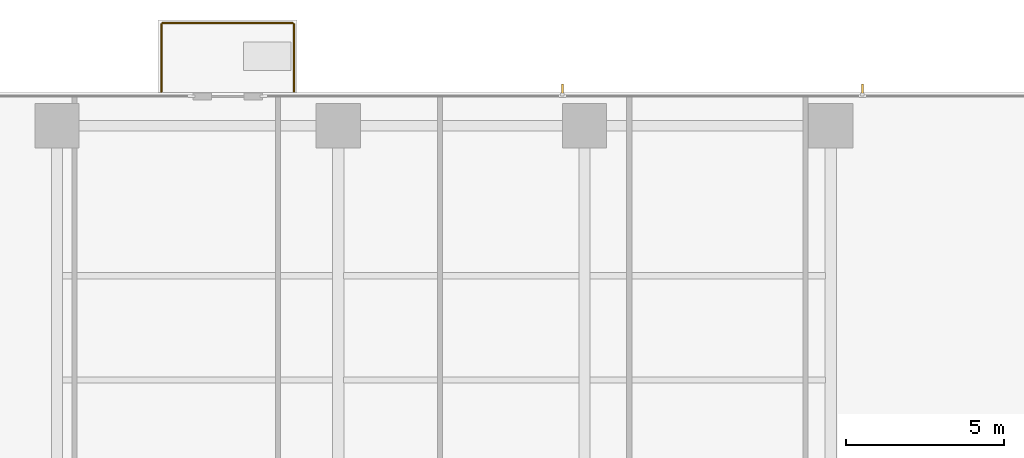
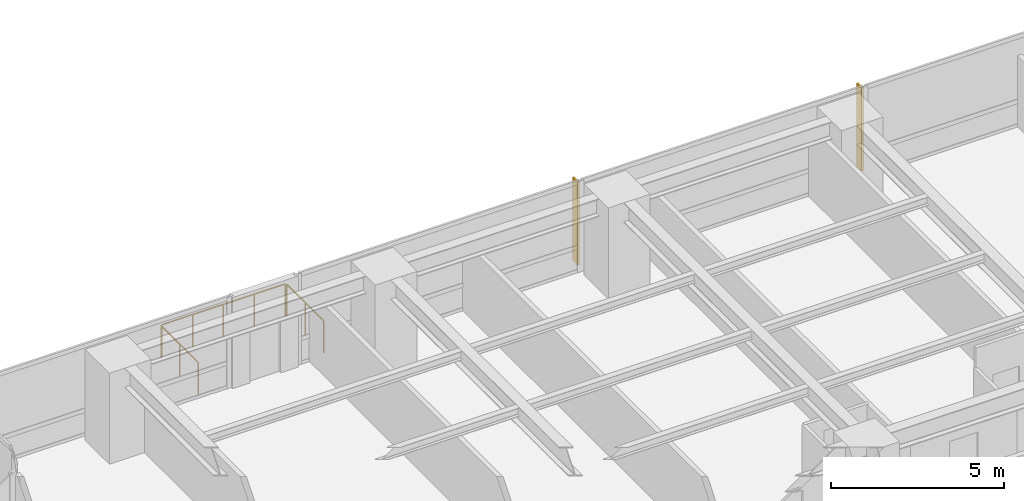
# One storey, part 18 of 18: 3 railings, 2 shading devices.
"""IFC4 building model written with IfcOpenShell, lengths in metres."""

from ifc_helpers import new_model, si_unit, direction, frame, origin, origin_2d, place, context, subcontext, project, spatial, polyline, circle, outline, extrude, material, layer, layer_set, type_object, element, save


model = new_model("IFC4")

# Units and contexts
model_context = context("Model", 3, precision=1e-05, world=origin(), true_north=direction((0.0, 1.0)))
body_context = subcontext(model_context, "Body", "Model", "MODEL_VIEW")
ifc_project = project(units=[si_unit("LENGTHUNIT", "METRE"), si_unit("AREAUNIT", "SQUARE_METRE"), si_unit("VOLUMEUNIT", "CUBIC_METRE"), si_unit("PLANEANGLEUNIT", "RADIAN"), si_unit("MASSUNIT", "GRAM", prefix="KILO")], contexts=[model_context])

# Site, building, storey
site_placement = place(None, origin())
site = spatial("IfcSite", under=ifc_project, at=site_placement, CompositionType="ELEMENT")
building_placement = place(site_placement, origin())
building = spatial("IfcBuilding", under=site, at=building_placement, Name="Qalmaran Belvedere Hotel", CompositionType="ELEMENT")
storey_placement = place(building_placement, frame((0.0, 0.0, 54.39990234375)))
storey = spatial("IfcBuildingStorey", under=building, at=storey_placement, Name="L13", CompositionType="ELEMENT", Elevation=54.39990234375)

# Shading devices
ifc_material = material(Name="Anodised Bronze Aluminium", Category="aluminium")
ifc_layer = layer(ifc_material, 0.06494140625, Name="Anodised Bronze Aluminium")
ifc_layer_set = layer_set([ifc_layer], Name="Anodised Bronze Aluminium")
shading_device_type = type_object("IfcShadingDeviceType", Name="FIN-BRNZ-300", PredefinedType="USERDEFINED", material=ifc_layer_set)
shading_device_1_placement = place(storey_placement, frame((0.0, 0.0, 0.16015625)))
element("IfcShadingDevice", 1, at=shading_device_1_placement, inside=storey, type_object=shading_device_type, Name="L13 Bronze Fin 1", ObjectType="FIN", PredefinedType="USERDEFINED", context=body_context, shape_type="SweptSolid", body=[
    extrude(outline(polyline([(45.83251953125, 48.472412109375), (45.83251953125, 48.7724609375), (45.767578125, 48.7724609375), (45.767578125, 48.472412109375), (45.83251953125, 48.472412109375)])), origin(), (0.0, 0.0, 1.0), 2.93994140625),
])
shading_device_2_placement = place(storey_placement, frame((0.0, 0.0, 0.16015625)))
element("IfcShadingDevice", 2, at=shading_device_2_placement, inside=storey, type_object=shading_device_type, Name="L13 Bronze Fin 2", ObjectType="FIN", PredefinedType="USERDEFINED", context=body_context, shape_type="SweptSolid", body=[
    extrude(outline(polyline([(36.33251953125, 48.472412109375), (36.33251953125, 48.7724609375), (36.267578125, 48.7724609375), (36.267578125, 48.472412109375), (36.33251953125, 48.472412109375)])), origin(), (0.0, 0.0, 1.0), 2.93994140625),
])

# Railings
railing_type = type_object("IfcRailingType", Name="GRD-BAL-1150", PredefinedType="BALUSTRADE", material=ifc_material)
railing_1_placement = place(storey_placement, frame((23.60009765625, 48.534912109375, 0.0)))
element("IfcRailing", 3, at=railing_1_placement, inside=storey, type_object=railing_type, Name="L13 Guardrail BAL-L13-N-1", PredefinedType="BALUSTRADE", context=body_context, shape_type="SweptSolid", body=[
    extrude(circle(Radius=0.02392578125, at=origin_2d()), frame((0.0, 0.0, 1.1259765625), z_axis=(0.0, 1.0, 0.0), x_axis=(-1.0, 0.0, 0.0)), (0.0, 0.0, 1.0), 2.130126953125),
    extrude(circle(Radius=0.02099609375, at=origin_2d()), origin(), (0.0, 0.0, 1.0), 1.101806640625),
    extrude(circle(Radius=0.02099609375, at=origin_2d()), frame((0.0, 1.06494140625, 0.0)), (0.0, 0.0, 1.0), 1.101806640625),
    extrude(circle(Radius=0.02099609375, at=origin_2d()), frame((0.0, 2.130126953125, 0.0)), (0.0, 0.0, 1.0), 1.101806640625),
])
railing_2_placement = place(storey_placement, frame((23.635009765625, 50.699951171875, 0.0)))
element("IfcRailing", 4, at=railing_2_placement, inside=storey, type_object=railing_type, Name="L13 Guardrail BAL-L13-N-2", PredefinedType="BALUSTRADE", context=body_context, shape_type="SweptSolid", body=[
    extrude(circle(Radius=0.02392578125, at=origin_2d()), frame((0.0, 0.0, 1.1259765625), z_axis=(1.0, 0.0, 0.0), x_axis=(0.0, 1.0, 0.0)), (0.0, 0.0, 1.0), 4.1298828125),
    extrude(circle(Radius=0.02099609375, at=origin_2d()), origin(), (0.0, 0.0, 1.0), 1.101806640625),
    extrude(circle(Radius=0.02099609375, at=origin_2d()), frame((1.032470703125, 0.0, 0.0)), (0.0, 0.0, 1.0), 1.101806640625),
    extrude(circle(Radius=0.02099609375, at=origin_2d()), frame((2.06494140625, 0.0, 0.0)), (0.0, 0.0, 1.0), 1.101806640625),
    extrude(circle(Radius=0.02099609375, at=origin_2d()), frame((3.097412109375, 0.0, 0.0)), (0.0, 0.0, 1.0), 1.101806640625),
    extrude(circle(Radius=0.02099609375, at=origin_2d()), frame((4.1298828125, 0.0, 0.0)), (0.0, 0.0, 1.0), 1.101806640625),
])
railing_3_placement = place(storey_placement, frame((27.800048828125, 50.6650390625, 0.0)))
element("IfcRailing", 5, at=railing_3_placement, inside=storey, type_object=railing_type, Name="L13 Guardrail BAL-L13-N-3", PredefinedType="BALUSTRADE", context=body_context, shape_type="SweptSolid", body=[
    extrude(circle(Radius=0.02392578125, at=origin_2d()), frame((0.0, 0.0, 1.1259765625), z_axis=(0.0, -1.0, 0.0), x_axis=(1.0, 0.0, 0.0)), (0.0, 0.0, 1.0), 2.130126953125),
    extrude(circle(Radius=0.02099609375, at=origin_2d()), origin(), (0.0, 0.0, 1.0), 1.101806640625),
    extrude(circle(Radius=0.02099609375, at=origin_2d()), frame((0.0, -1.06494140625, 0.0)), (0.0, 0.0, 1.0), 1.101806640625),
    extrude(circle(Radius=0.02099609375, at=origin_2d()), frame((0.0, -2.130126953125, 0.0)), (0.0, 0.0, 1.0), 1.101806640625),
])

save(model, "model.ifc")
